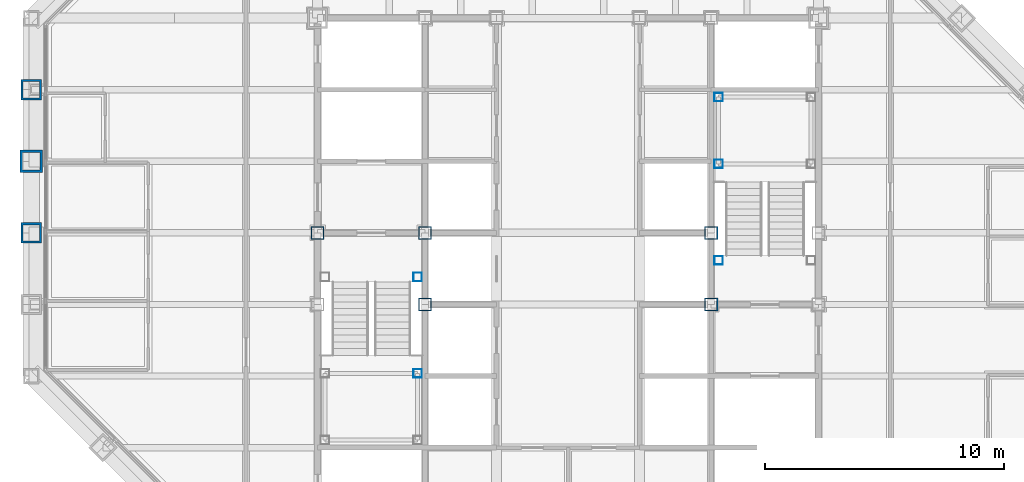
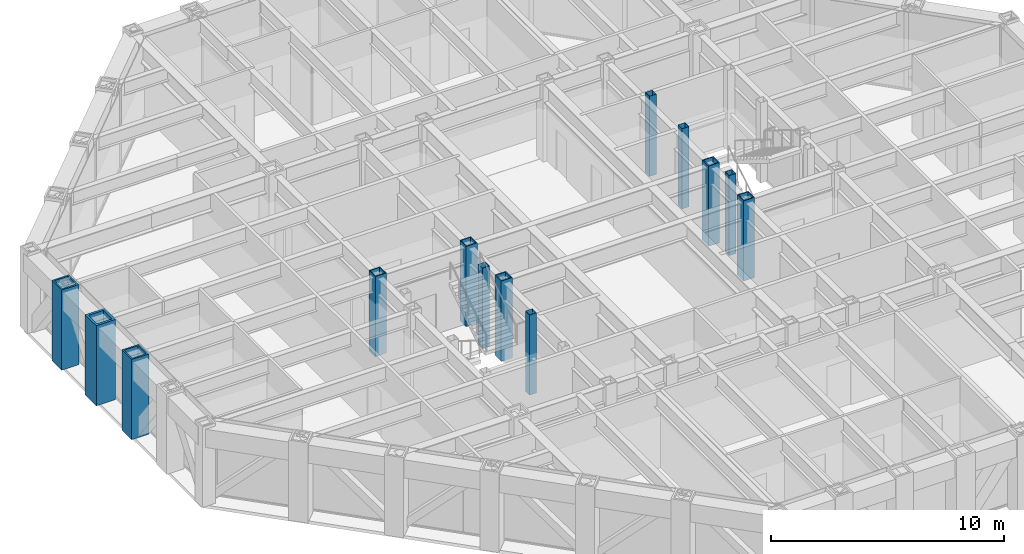
# One storey, part 2 of 16: 13 columns.
"""IFC4 building model written with IfcOpenShell, lengths in metres."""

from ifc_helpers import new_model, si_unit, direction, frame, origin, origin_2d, place, context, subcontext, project, spatial, hollow_rectangle, extrude, material, material_profile, profile_set, type_object, element, save


model = new_model("IFC4")

# Units and contexts
model_context = context("Model", 3, precision=1e-05, world=origin(), true_north=direction((0.0, 1.0)))
body_context = subcontext(model_context, "Body", "Model", "MODEL_VIEW")
ifc_project = project(units=[si_unit("LENGTHUNIT", "METRE"), si_unit("AREAUNIT", "SQUARE_METRE"), si_unit("VOLUMEUNIT", "CUBIC_METRE"), si_unit("PLANEANGLEUNIT", "RADIAN"), si_unit("MASSUNIT", "GRAM", prefix="KILO")], contexts=[model_context])

# Site, building, storey
site_placement = place(None, origin())
site = spatial("IfcSite", under=ifc_project, at=site_placement, CompositionType="ELEMENT")
building_placement = place(site_placement, origin())
building = spatial("IfcBuilding", under=site, at=building_placement, Name="Chuquiago Exchange Tower", CompositionType="ELEMENT")
storey_placement = place(building_placement, frame((0.0, 0.0, 247.5)))
storey = spatial("IfcBuildingStorey", under=building, at=storey_placement, Name="L55", CompositionType="ELEMENT", Elevation=247.5)

# Columns
ifc_material_1 = material(Name="Steel ASTM A572 Grade 50", Category="steel")
ifc_material_profile_1 = material_profile(ifc_material_1, hollow_rectangle(XDim=0.85009765625, YDim=0.85009765625, WallThickness=0.0849609375, at=origin_2d()), Name="BOX850X850X85")
ifc_profile_set_1 = profile_set([ifc_material_profile_1], Name="Steel ASTM A572 Grade 50")
column_type_1 = type_object("IfcColumnType", Name="C6 BOX850X850X85", PredefinedType="COLUMN", material=ifc_profile_set_1)
for number, where, z_axis, x_axis, name in (
    (1, (0.0, 30.0, 0.0), (0.0, 0.0, 1.0), (-1.0, 0.0, 0.0), "COL-L55-0_30"),
    (2, (0.0, 24.0, 0.0), (0.0, 0.0, 1.0), (-1.0, 0.0, 0.0), "COL-L55-0_24"),
):
    element("IfcColumn", number, at=place(storey_placement, frame(where, z_axis=z_axis, x_axis=x_axis)), inside=storey, type_object=column_type_1, Name=name, PredefinedType="COLUMN", context=body_context, shape_type="SweptSolid", body=[
        extrude(hollow_rectangle(XDim=0.85009765625, YDim=0.85009765625, WallThickness=0.0849609375, at=origin_2d()), origin(), (0.0, 0.0, 1.0), 4.199951171875),
    ])
ifc_material_2 = material(Name="Steel ASTM A572 Grade 50", Category="steel")
ifc_material_profile_2 = material_profile(ifc_material_2, hollow_rectangle(XDim=0.550048828125, YDim=0.550048828125, WallThickness=0.044921875, at=origin_2d()), Name="BOX550X550X45")
ifc_profile_set_2 = profile_set([ifc_material_profile_2], Name="Steel ASTM A572 Grade 50")
column_type_2 = type_object("IfcColumnType", Name="CC8 BOX550X550X45", PredefinedType="COLUMN", material=ifc_profile_set_2)
for number, where, z_axis, x_axis, name in (
    (3, (12.0, 24.0, 0.0), (0.0, 0.0, 1.0), (1.0, 0.0, 0.0), "CCOL-L55-12_24"),
    (4, (16.5, 21.0, 0.0), (0.0, 0.0, 1.0), (1.0, 0.0, 0.0), "CCOL-L55-16.5_21"),
    (5, (16.5, 24.0, 0.0), (0.0, 0.0, 1.0), (1.0, 0.0, 0.0), "CCOL-L55-16.5_24"),
    (6, (28.5, 21.0, 0.0), (0.0, 0.0, 1.0), (1.0, 0.0, 0.0), "CCOL-L55-28.5_21"),
    (7, (28.5, 24.0, 0.0), (0.0, 0.0, 1.0), (1.0, 0.0, 0.0), "CCOL-L55-28.5_24"),
):
    element("IfcColumn", number, at=place(storey_placement, frame(where, z_axis=z_axis, x_axis=x_axis)), inside=storey, type_object=column_type_2, Name=name, PredefinedType="COLUMN", context=body_context, shape_type="SweptSolid", body=[
        extrude(hollow_rectangle(XDim=0.550048828125, YDim=0.550048828125, WallThickness=0.044921875, at=origin_2d()), origin(), (0.0, 0.0, 1.0), 4.199951171875),
    ])
ifc_material_3 = material(Name="Steel ASTM A572 Grade 42", Category="steel")
ifc_material_profile_3 = material_profile(ifc_material_3, hollow_rectangle(XDim=0.949951171875, YDim=0.949951171875, WallThickness=0.110107421875, at=origin_2d()), Name="BOX950X950X110")
ifc_profile_set_3 = profile_set([ifc_material_profile_3], Name="Steel ASTM A572 Grade 42")
column_type_3 = type_object("IfcColumnType", Name="CT1 BOX950X950X110", PredefinedType="COLUMN", material=ifc_profile_set_3)
column_placement = place(storey_placement, frame((0.0, 27.0, 0.0), z_axis=(0.0, 0.0, 1.0), x_axis=(-1.0, 0.0, 0.0)))
element("IfcColumn", 8, at=column_placement, inside=storey, type_object=column_type_3, Name="COL-L55-0_27", PredefinedType="COLUMN", context=body_context, shape_type="SweptSolid", body=[
    extrude(hollow_rectangle(XDim=0.949951171875, YDim=0.949951171875, WallThickness=0.110107421875, at=origin_2d()), origin(), (0.0, 0.0, 1.0), 4.199951171875),
])
ifc_material_4 = material(Name="Steel ASTM A500 Grade C", Category="steel")
ifc_material_profile_4 = material_profile(ifc_material_4, hollow_rectangle(XDim=0.355712890625, YDim=0.355712890625, WallThickness=0.0087890625, at=origin_2d()), Name="HSS14X14X3/8")
ifc_profile_set_4 = profile_set([ifc_material_profile_4], Name="Steel ASTM A500 Grade C")
column_type_4 = type_object("IfcColumnType", Name="PT1 HSS14X14X3/8", PredefinedType="COLUMN", material=ifc_profile_set_4)
for number, where, z_axis, x_axis, name in (
    (9, (16.18994140625, 18.110107421875, 0.0), (0.0, 0.0, 1.0), (1.0, 0.0, 0.0), "Stair ST1 L55 landing post"),
    (10, (16.18994140625, 22.14990234375, 0.0), (0.0, 0.0, 1.0), (1.0, 0.0, 0.0), "Stair ST1 L55 landing post"),
    (11, (28.81005859375, 29.68994140625, 0.0), (0.0, 0.0, 1.0), (1.0, 0.0, 0.0), "Stair ST2 L55 landing post"),
    (12, (28.81005859375, 26.889892578125, 0.0), (0.0, 0.0, 1.0), (1.0, 0.0, 0.0), "Stair ST2 L55 landing post"),
    (13, (28.81005859375, 22.85009765625, 0.0), (0.0, 0.0, 1.0), (1.0, 0.0, 0.0), "Stair ST2 L55 landing post"),
):
    element("IfcColumn", number, at=place(storey_placement, frame(where, z_axis=z_axis, x_axis=x_axis)), inside=storey, type_object=column_type_4, Name=name, PredefinedType="COLUMN", context=body_context, shape_type="SweptSolid", body=[
        extrude(hollow_rectangle(XDim=0.355712890625, YDim=0.355712890625, WallThickness=0.0087890625, at=origin_2d()), origin(), (0.0, 0.0, 1.0), 4.199951171875),
    ])

save(model, "model.ifc")
